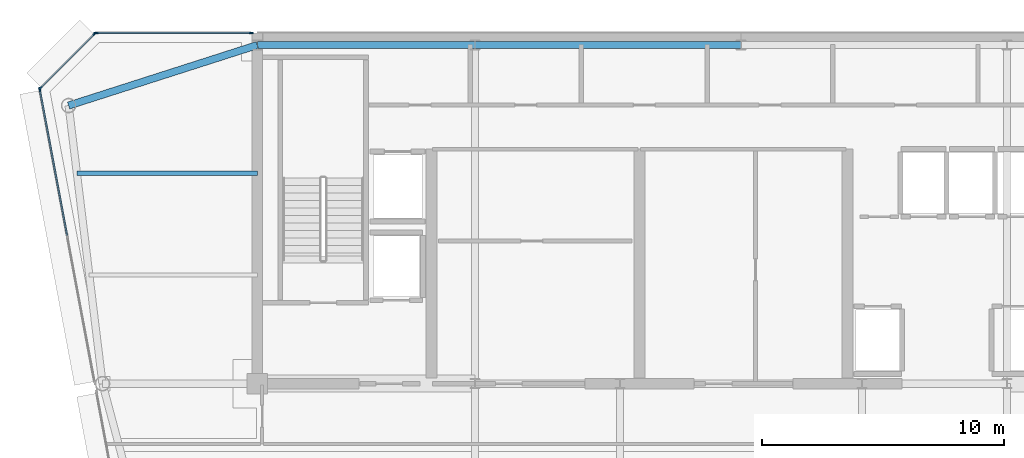
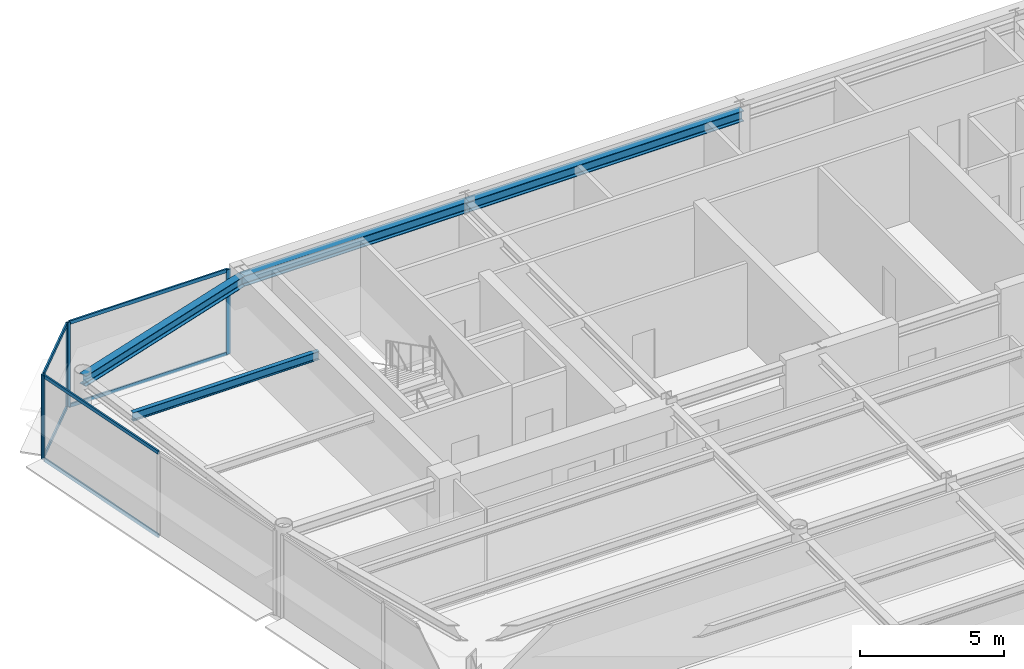
# One storey, part 8 of 20: 11 members, 4 beams, 3 elements without a shape of their own.
"""IFC4 building model written with IfcOpenShell, lengths in metres."""

import ifcopenshell
import ifcopenshell.guid

model = None  # the IFC model being written
_history = None  # IfcOwnerHistory: only IFC2X3 demands one
_inside = {}  # id of a spatial element -> (the spatial element, [elements in it])
_under = {}  # id of a project, library or spatial element -> (it, [spatial elements below it])
_declared = {}  # id of a project -> (the project, [libraries it declares])
_typed = {}  # id of a type object -> (the type object, [elements of that type])
_made_of = {}  # id of a material, layer set ... -> (it, [elements and type objects made of it])


def new_model(schema):
    """Start an empty IFC model of exactly this schema.

    Asked for "IFC4X3", IfcOpenShell would pick the latest addendum, in which some entities
    have other attributes; the version numbers below select the first issue.
    IFC2X3 requires an IfcOwnerHistory on every rooted entity: one is made here for all.
    """
    global model, _history
    if schema == "IFC4X3":
        model = ifcopenshell.file(schema_version=(4, 3, 0, 0))
    else:
        model = ifcopenshell.file(schema=schema)
    _inside.clear()
    _under.clear()
    _declared.clear()
    _typed.clear()
    _made_of.clear()
    _history = None
    if model.schema == "IFC2X3":
        org = make("IfcOrganization", Name="unknown")
        user = make(
            "IfcPersonAndOrganization",
            ThePerson=make("IfcPerson", FamilyName="unknown"),
            TheOrganization=org,
        )
        app = make(
            "IfcApplication",
            ApplicationDeveloper=org,
            Version="unknown",
            ApplicationFullName="unknown",
            ApplicationIdentifier="unknown",
        )
        _history = make(
            "IfcOwnerHistory",
            OwningUser=user,
            OwningApplication=app,
            ChangeAction="ADDED",
            CreationDate=0,
        )
    return model


def make(cls, **values):
    """One entity of the class cls with the attributes given. An attribute that is None is left unset."""
    return model.create_entity(
        cls, **{name: value for name, value in values.items() if value is not None}
    )


def rooted(cls, **values):
    """An entity with a GlobalId (a new one), such as an element, a storey or a relation."""
    return make(cls, GlobalId=ifcopenshell.guid.new(), OwnerHistory=_history, **values)


def si_unit(unit_type, name, prefix=None):
    """IfcSIUnit, for example si_unit("LENGTHUNIT", "METRE", prefix="MILLI")."""
    return make("IfcSIUnit", UnitType=unit_type, Prefix=prefix, Name=name)


def assignment(units):
    """IfcUnitAssignment: the units of a project."""
    return None if units is None else make("IfcUnitAssignment", Units=units)


def point(xyz):
    """IfcCartesianPoint."""
    return None if xyz is None else make("IfcCartesianPoint", Coordinates=xyz)


def direction(xyz):
    """IfcDirection."""
    return None if xyz is None else make("IfcDirection", DirectionRatios=xyz)


def frame(location, z_axis=None, x_axis=None):
    """IfcAxis2Placement3D, a coordinate frame: its origin and axes. An axis left out is left unset."""
    return make(
        "IfcAxis2Placement3D",
        Location=point(location),
        Axis=direction(z_axis),
        RefDirection=direction(x_axis),
    )


def frame_2d(location, x_axis=None):
    """IfcAxis2Placement2D, a coordinate frame in the plane: its origin and x axis."""
    return make(
        "IfcAxis2Placement2D", Location=point(location), RefDirection=direction(x_axis)
    )


def origin():
    """The frame at (0, 0, 0) with its axes left unset."""
    return frame((0.0, 0.0, 0.0))


def origin_2d():
    """The frame at (0, 0) in the plane with its x axis left unset."""
    return frame_2d((0.0, 0.0))


def place(relative_to, where):
    """IfcLocalPlacement: puts the frame where relative to a parent placement (None: the world)."""
    return make(
        "IfcLocalPlacement", PlacementRelTo=relative_to, RelativePlacement=where
    )


def context(
    kind, dimensions, precision=None, world=None, true_north=None, identifier=None
):
    """IfcGeometricRepresentationContext, for example the 3D "Model" context."""
    return make(
        "IfcGeometricRepresentationContext",
        ContextIdentifier=identifier,
        ContextType=kind,
        CoordinateSpaceDimension=dimensions,
        Precision=precision,
        WorldCoordinateSystem=world,
        TrueNorth=true_north,
    )


def subcontext(parent, identifier, kind, view, scale=None):
    """IfcGeometricRepresentationSubContext, for example "Body" below "Model"."""
    return make(
        "IfcGeometricRepresentationSubContext",
        ContextIdentifier=identifier,
        ContextType=kind,
        ParentContext=parent,
        TargetScale=scale,
        TargetView=view,
    )


def project(units=None, contexts=None):
    """IfcProject with its units and contexts."""
    return rooted(
        "IfcProject",
        Name="project",
        RepresentationContexts=contexts,
        UnitsInContext=assignment(units),
    )


def spatial(cls, under=None, at=None, **own):
    """A site, building, storey or space (cls), placed at a placement, below another one or the project."""
    s = rooted(cls, ObjectPlacement=at, **own)
    if under is not None:
        _under.setdefault(under.id(), (under, []))[1].append(s)
    return s


def profile(cls, at=None, kind="AREA", **sizes):
    """A parametric profile (cls). Its sizes go by their IFC names, for example OverallWidth=200.0."""
    return make(cls, ProfileType=kind, Position=at, **sizes)


def rectangle(**sizes):
    """IfcRectangleProfileDef."""
    return profile("IfcRectangleProfileDef", **sizes)


def i_section(**sizes):
    """IfcIShapeProfileDef."""
    return profile("IfcIShapeProfileDef", **sizes)


def extrude(swept, where, along, depth):
    """IfcExtrudedAreaSolid: the profile swept, set in the frame where, extruded along a direction by depth."""
    return make(
        "IfcExtrudedAreaSolid",
        SweptArea=swept,
        Position=where,
        ExtrudedDirection=direction(along),
        Depth=depth,
    )


def shape(context_of_items, identifier, shape_type, items):
    """IfcShapeRepresentation: the items that make up one representation, for example the "Body"."""
    return make(
        "IfcShapeRepresentation",
        ContextOfItems=context_of_items,
        RepresentationIdentifier=identifier,
        RepresentationType=shape_type,
        Items=items,
    )


def source(mapping_origin, context_of_items, identifier, shape_type, items):
    """IfcRepresentationMap: a shape defined once, which mapped items show again and again."""
    return make(
        "IfcRepresentationMap",
        MappingOrigin=mapping_origin,
        MappedRepresentation=shape(context_of_items, identifier, shape_type, items),
    )


def transform(
    local_origin,
    x_axis=None,
    y_axis=None,
    z_axis=None,
    scale=None,
    scale2=None,
    scale3=None,
    uniform=True,
):
    """IfcCartesianTransformationOperator3D, or its non-uniform kind. x_axis, y_axis, z_axis: its Axis1, 2, 3."""
    if uniform:
        return make(
            "IfcCartesianTransformationOperator3D",
            Axis1=direction(x_axis),
            Axis2=direction(y_axis),
            LocalOrigin=point(local_origin),
            Scale=scale,
            Axis3=direction(z_axis),
        )
    return make(
        "IfcCartesianTransformationOperator3DnonUniform",
        Axis1=direction(x_axis),
        Axis2=direction(y_axis),
        LocalOrigin=point(local_origin),
        Scale=scale,
        Axis3=direction(z_axis),
        Scale2=scale2,
        Scale3=scale3,
    )


def mapped(mapping_source, mapping_target):
    """IfcMappedItem: shows the shape of a source again, moved by a transform."""
    return make(
        "IfcMappedItem", MappingSource=mapping_source, MappingTarget=mapping_target
    )


def material(Name=None, Category=None):
    """IfcMaterial."""
    return make("IfcMaterial", Name=Name, Category=Category)


def layer(
    of_material, thickness, ventilated=None, Name=None, Category=None, Priority=None
):
    """IfcMaterialLayer: one layer of a wall or slab, of a material (None: an air gap)."""
    return make(
        "IfcMaterialLayer",
        Material=of_material,
        LayerThickness=thickness,
        IsVentilated=ventilated,
        Name=Name,
        Category=Category,
        Priority=Priority,
    )


def layer_set(layers, Name=None):
    """IfcMaterialLayerSet."""
    return make("IfcMaterialLayerSet", MaterialLayers=layers, LayerSetName=Name)


def material_profile(
    of_material, cross_section, Name=None, Category=None, Priority=None
):
    """IfcMaterialProfile: a cross section and its material."""
    return make(
        "IfcMaterialProfile",
        Name=Name,
        Material=of_material,
        Profile=cross_section,
        Priority=Priority,
        Category=Category,
    )


def profile_set(profiles, Name=None, composite=None):
    """IfcMaterialProfileSet."""
    return make(
        "IfcMaterialProfileSet",
        Name=Name,
        MaterialProfiles=profiles,
        CompositeProfile=composite,
    )


def made_of(thing, what):
    """Note that an element or type object is made of a material, layer set ...; save() writes the relation."""
    if what is not None:
        _made_of.setdefault(what.id(), (what, []))[1].append(thing)
    return thing


def type_object(cls, material=None, **own):
    """A type object (cls), such as IfcWallType, which elements share."""
    return made_of(rooted(cls, **own), material)


def element(
    cls,
    number,
    at=None,
    inside=None,
    cuts=None,
    type_object=None,
    material=None,
    context=None,
    identifier="Body",
    shape_type=None,
    held_by="IfcProductDefinitionShape",
    body=None,
    shapes=None,
    **own,
):
    """One element of the class cls, such as IfcWall. Its Tag is "e" and its number.

    at: its placement. inside: the storey or other place that contains it. cuts: it is an
    opening in that element (IfcRelVoidsElement). A single representation is given by context,
    identifier, shape_type and body (its items); several are given by shapes. held_by: the class
    of the entity that holds the representations. save() writes the other relations.
    """
    e = rooted(cls, Tag="e%d" % number, ObjectPlacement=at, **own)
    if body is not None:
        shapes = [shape(context, identifier, shape_type, body)]
    if shapes is not None:
        e.Representation = make(held_by, Representations=shapes)
    if inside is not None:
        _inside.setdefault(inside.id(), (inside, []))[1].append(e)
    if cuts is not None:
        rooted(
            "IfcRelVoidsElement", RelatingBuildingElement=cuts, RelatedOpeningElement=e
        )
    if type_object is not None:
        _typed.setdefault(type_object.id(), (type_object, []))[1].append(e)
    return made_of(e, material)


def aggregate(whole, parts):
    """IfcRelAggregates: a whole, such as a stair, and the parts it consists of."""
    return rooted("IfcRelAggregates", RelatingObject=whole, RelatedObjects=parts)


def save(model, path):
    """Write the relations noted so far, then the file.

    IfcRelAggregates (storeys below a building ...), IfcRelContainedInSpatialStructure (elements
    in a storey), IfcRelDefinesByType, IfcRelAssociatesMaterial and IfcRelDeclares: one each for
    every whole, place, type object, material and project.
    """
    for whole, parts in _under.values():
        aggregate(whole, parts)
    for where, things in _inside.values():
        rooted(
            "IfcRelContainedInSpatialStructure",
            RelatedElements=things,
            RelatingStructure=where,
        )
    for kind, things in _typed.values():
        rooted("IfcRelDefinesByType", RelatedObjects=things, RelatingType=kind)
    for what, things in _made_of.values():
        rooted("IfcRelAssociatesMaterial", RelatedObjects=things, RelatingMaterial=what)
    for by, libraries in _declared.values():
        rooted("IfcRelDeclares", RelatingContext=by, RelatedDefinitions=libraries)
    model.write(path)


model = new_model("IFC4")

# Units and contexts
model_context = context("Model", 3, precision=1e-05, world=origin(), true_north=direction((0.0, 1.0)))
body_context = subcontext(model_context, "Body", "Model", "MODEL_VIEW")
ifc_project = project(units=[si_unit("LENGTHUNIT", "METRE"), si_unit("AREAUNIT", "SQUARE_METRE"), si_unit("VOLUMEUNIT", "CUBIC_METRE"), si_unit("PLANEANGLEUNIT", "RADIAN"), si_unit("MASSUNIT", "GRAM", prefix="KILO")], contexts=[model_context])

# Site, building, storey
site_placement = place(None, origin())
site = spatial("IfcSite", under=ifc_project, at=site_placement, CompositionType="ELEMENT")
building_placement = place(site_placement, origin())
building = spatial("IfcBuilding", under=site, at=building_placement, Name="Vaeldorn Concourse Tower", CompositionType="ELEMENT")
storey_placement = place(building_placement, frame((0.0, 0.0, 280.199951171875)))
storey = spatial("IfcBuildingStorey", under=building, at=storey_placement, Name="L72", CompositionType="ELEMENT", Elevation=280.199951171875)

# Beams
ifc_material_1 = material(Name="Steel S355", Category="steel")
ifc_material_profile_1 = material_profile(ifc_material_1, i_section(OverallWidth=0.300048828125, OverallDepth=0.449951171875, WebThickness=0.013916015625, FlangeThickness=0.02587890625, FilletRadius=0.027099609375, at=origin_2d()), Name="HEB 450")
ifc_profile_set_1 = profile_set([ifc_material_profile_1], Name="Steel S355")
beam_type_1 = type_object("IfcBeamType", Name="BM-PG-HEB450", PredefinedType="BEAM", material=ifc_profile_set_1)
shared_shape_1 = source(origin(), body_context, "Body", "SweptSolid", [
    extrude(i_section(OverallWidth=0.300048828125, OverallDepth=0.449951171875, WebThickness=0.013916015625, FlangeThickness=0.02587890625, FilletRadius=0.027099609375, at=origin_2d()), origin(), (0.0, 0.0, 1.0), 11.0),
])
beam_1_placement = place(storey_placement, frame((23.0, 50.5, 3.35498046875), z_axis=(1.0, 0.0, 0.0), x_axis=(0.0, 1.0, 0.0)))
element("IfcBeam", 1, at=beam_1_placement, inside=storey, type_object=beam_type_1, Name="Beam BM-L72-C-HC2-C-HC3", PredefinedType="BEAM", context=body_context, shape_type="MappedRepresentation", body=[
    mapped(shared_shape_1, transform((0.0, 0.0, 0.0), scale=1.0)),
])
ifc_material_profile_2 = material_profile(ifc_material_1, i_section(OverallWidth=0.169921875, OverallDepth=0.360107421875, WebThickness=0.008056640625, FlangeThickness=0.0126953125, FilletRadius=0.01806640625, at=origin_2d()), Name="IPE 360")
ifc_profile_set_2 = profile_set([ifc_material_profile_2], Name="Steel S355")
beam_type_2 = type_object("IfcBeamType", Name="BM-JS-IPE360", PredefinedType="JOIST", material=ifc_profile_set_2)
shared_shape_2 = source(origin(), body_context, "Body", "SweptSolid", [
    extrude(i_section(OverallWidth=0.169921875, OverallDepth=0.360107421875, WebThickness=0.008056640625, FlangeThickness=0.0126953125, FilletRadius=0.01806640625, at=origin_2d()), origin(), (0.0, 0.0, 1.0), 7.458984375),
])
beam_2_placement = place(storey_placement, frame((6.541015625, 45.199951171875, 3.400146484375), z_axis=(1.0, 0.0, 0.0), x_axis=(0.0, 1.0, 0.0)))
element("IfcBeam", 2, at=beam_2_placement, inside=storey, type_object=beam_type_2, Name="Beam JS-L72-NW-452", PredefinedType="JOIST", context=body_context, shape_type="MappedRepresentation", body=[
    mapped(shared_shape_2, transform((0.0, 0.0, 0.0), scale=1.0)),
])
shared_shape_3 = source(origin(), body_context, "Body", "SweptSolid", [
    extrude(i_section(OverallWidth=0.300048828125, OverallDepth=0.449951171875, WebThickness=0.013916015625, FlangeThickness=0.02587890625, FilletRadius=0.027099609375, at=origin_2d()), origin(), (0.0, 0.0, 1.0), 9.0),
])
beam_3_placement = place(storey_placement, frame((14.0, 50.5, 3.35498046875), z_axis=(1.0, 0.0, 0.0), x_axis=(0.0, 1.0, 0.0)))
element("IfcBeam", 3, at=beam_3_placement, inside=storey, type_object=beam_type_1, Name="Beam BM-L72-C-HC1-C-HC2", PredefinedType="BEAM", context=body_context, shape_type="MappedRepresentation", body=[
    mapped(shared_shape_3, transform((0.0, 0.0, 0.0), scale=1.0)),
])
shared_shape_4 = source(origin(), body_context, "Body", "SweptSolid", [
    extrude(i_section(OverallWidth=0.300048828125, OverallDepth=0.449951171875, WebThickness=0.013916015625, FlangeThickness=0.02587890625, FilletRadius=0.027099609375, at=origin_2d()), origin(), (0.0, 0.0, 1.0), 8.19091796875),
])
beam_4_placement = place(storey_placement, frame((6.199951171875, 48.0, 3.35498046875), z_axis=(0.952282843383, 0.305216949396, 0.0), x_axis=(-0.305216949396, 0.952282843383, 0.0)))
element("IfcBeam", 4, at=beam_4_placement, inside=storey, type_object=beam_type_1, Name="Beam BM-L72-C-NW1-C-HC1", PredefinedType="BEAM", context=body_context, shape_type="MappedRepresentation", body=[
    mapped(shared_shape_4, transform((0.0, 0.0, 0.0), scale=1.0)),
])

# Curtain wall, members
ifc_material_2 = material(Name="Anodised Bronze Aluminium", Category="aluminium")
ifc_layer = layer(ifc_material_2, 0.179931640625)
ifc_layer_set = layer_set([ifc_layer], Name="Anodised Bronze Aluminium")
curtain_wall_type = type_object("IfcCurtainWallType", Name="CW-SYS-05", PredefinedType="NOTDEFINED", material=ifc_layer_set)
curtain_wall_1_placement = place(storey_placement, origin())
curtain_wall_1 = element("IfcCurtainWall", 5, at=curtain_wall_1_placement, inside=storey, type_object=curtain_wall_type, Name="Unitised Curtain Wall CW-L72-E10-1", PredefinedType="NOTDEFINED")
ifc_material_profile_3 = material_profile(ifc_material_2, rectangle(XDim=0.06494140625, YDim=0.14990234375, at=origin_2d()), Name="CWT 65x150")
ifc_profile_set_3 = profile_set([ifc_material_profile_3], Name="Anodised Bronze Aluminium")
member_type_1 = type_object("IfcMemberType", Name="CWT-BRONZE-150", PredefinedType="USERDEFINED", material=ifc_profile_set_3)
shared_shape_5 = source(origin(), body_context, "Body", "SweptSolid", [
    extrude(rectangle(XDim=0.06494140625, YDim=0.14990234375, at=origin_2d()), origin(), (0.0, 0.0, 1.0), 3.123046875),
])
member_1_placement = place(storey_placement, frame((7.254150390625, 50.9541015625, 0.032470703125), z_axis=(-0.707106781187, -0.707106781187, 0.0), x_axis=(0.707106781187, -0.707106781187, 0.0)))
member_1 = element("IfcMember", 6, at=member_1_placement, type_object=member_type_1, Name="CW-05 transom 1.1", ObjectType="TRANSOM", PredefinedType="USERDEFINED", context=body_context, shape_type="MappedRepresentation", body=[
    mapped(shared_shape_5, transform((0.0, 0.0, 0.0), scale=1.0)),
])
member_2_placement = place(storey_placement, frame((7.254150390625, 50.9541015625, 3.547607421875), z_axis=(-0.707106781187, -0.707106781187, 0.0), x_axis=(0.707106781187, -0.707106781187, 0.0)))
member_2 = element("IfcMember", 7, at=member_2_placement, type_object=member_type_1, Name="CW-05 transom 1.2", ObjectType="TRANSOM", PredefinedType="USERDEFINED", context=body_context, shape_type="MappedRepresentation", body=[
    mapped(shared_shape_5, transform((0.0, 0.0, 0.0), scale=1.0)),
])

curtain_wall_2_placement = place(storey_placement, origin())
curtain_wall_2 = element("IfcCurtainWall", 8, at=curtain_wall_2_placement, inside=storey, type_object=curtain_wall_type, Name="Unitised Curtain Wall CW-L72-E09-2", PredefinedType="NOTDEFINED")
ifc_material_profile_4 = material_profile(ifc_material_2, rectangle(XDim=0.06494140625, YDim=0.169921875, at=origin_2d()), Name="CWM 65x170")
ifc_profile_set_4 = profile_set([ifc_material_profile_4], Name="Anodised Bronze Aluminium")
member_type_2 = type_object("IfcMemberType", Name="CWM-BRONZE-170", PredefinedType="MULLION", material=ifc_profile_set_4)
shared_shape_6 = source(origin(), body_context, "Body", "SweptSolid", [
    extrude(rectangle(XDim=0.06494140625, YDim=0.169921875, at=origin_2d()), origin(), (0.0, 0.0, 1.0), 3.580078125),
])
member_3_placement = place(storey_placement, frame((13.74755859375, 51.0, 0.0), z_axis=(0.0, 0.0, 1.0), x_axis=(0.0, -1.0, 0.0)))
member_3 = element("IfcMember", 9, at=member_3_placement, type_object=member_type_2, Name="CW-05 mullion 1", PredefinedType="MULLION", context=body_context, shape_type="MappedRepresentation", body=[
    mapped(shared_shape_6, transform((0.0, 0.0, 0.0), scale=1.0)),
])
member_4_placement = place(storey_placement, frame((7.33251953125, 51.0, 0.0), z_axis=(0.0, 0.0, 1.0), x_axis=(0.0, -1.0, 0.0)))
member_4 = element("IfcMember", 10, at=member_4_placement, type_object=member_type_2, Name="CW-05 mullion 2", PredefinedType="MULLION", context=body_context, shape_type="MappedRepresentation", body=[
    mapped(shared_shape_6, transform((0.0, 0.0, 0.0), scale=1.0)),
])

# Member
member_5_placement = place(storey_placement, frame((7.277099609375, 50.97705078125, 0.0), z_axis=(0.0, 0.0, 1.0), x_axis=(0.707106781187, -0.707106781187, 0.0)))
member_5 = element("IfcMember", 11, at=member_5_placement, type_object=member_type_2, Name="CW-05 mullion 1", PredefinedType="MULLION", context=body_context, shape_type="MappedRepresentation", body=[
    mapped(shared_shape_6, transform((0.0, 0.0, 0.0), scale=1.0)),
])

member_6_placement = place(storey_placement, frame((5.02294921875, 48.722900390625, 0.0), z_axis=(0.0, 0.0, 1.0), x_axis=(0.707106781187, -0.707106781187, 0.0)))
member_6 = element("IfcMember", 12, at=member_6_placement, type_object=member_type_2, Name="CW-05 mullion 2", PredefinedType="MULLION", context=body_context, shape_type="MappedRepresentation", body=[
    mapped(shared_shape_6, transform((0.0, 0.0, 0.0), scale=1.0)),
])

aggregate(curtain_wall_1, [member_5, member_6, member_1, member_2])

# Curtain wall, member
curtain_wall_3_placement = place(storey_placement, origin())
curtain_wall_3 = element("IfcCurtainWall", 13, at=curtain_wall_3_placement, inside=storey, type_object=curtain_wall_type, Name="Unitised Curtain Wall CW-L72-E11-1", PredefinedType="NOTDEFINED")
member_7_placement = place(storey_placement, frame((5.006103515625, 48.66796875, 0.0), z_axis=(0.0, 0.0, 1.0), x_axis=(0.982880218842, 0.184245693053, 0.0)))
member_7 = element("IfcMember", 14, at=member_7_placement, type_object=member_type_2, Name="CW-05 mullion 1", PredefinedType="MULLION", context=body_context, shape_type="MappedRepresentation", body=[
    mapped(shared_shape_6, transform((0.0, 0.0, 0.0), scale=1.0)),
])

# Member
shared_shape_7 = source(origin(), body_context, "Body", "SweptSolid", [
    extrude(rectangle(XDim=0.06494140625, YDim=0.14990234375, at=origin_2d()), origin(), (0.0, 0.0, 1.0), 6.35009765625),
])
member_8_placement = place(storey_placement, frame((13.715087890625, 51.0, 0.032470703125), z_axis=(-1.0, 0.0, 0.0), x_axis=(0.0, -1.0, 0.0)))
member_8 = element("IfcMember", 15, at=member_8_placement, type_object=member_type_1, Name="CW-05 transom 1.1", ObjectType="TRANSOM", PredefinedType="USERDEFINED", context=body_context, shape_type="MappedRepresentation", body=[
    mapped(shared_shape_7, transform((0.0, 0.0, 0.0), scale=1.0)),
])

member_9_placement = place(storey_placement, frame((13.715087890625, 51.0, 3.547607421875), z_axis=(-1.0, 0.0, 0.0), x_axis=(0.0, -1.0, 0.0)))
member_9 = element("IfcMember", 16, at=member_9_placement, type_object=member_type_1, Name="CW-05 transom 1.2", ObjectType="TRANSOM", PredefinedType="USERDEFINED", context=body_context, shape_type="MappedRepresentation", body=[
    mapped(shared_shape_7, transform((0.0, 0.0, 0.0), scale=1.0)),
])

aggregate(curtain_wall_2, [member_3, member_4, member_8, member_9])

shared_shape_8 = source(origin(), body_context, "Body", "SweptSolid", [
    extrude(rectangle(XDim=0.06494140625, YDim=0.14990234375, at=origin_2d()), origin(), (0.0, 0.0, 1.0), 6.103515625),
])
member_10_placement = place(storey_placement, frame((5.011962890625, 48.63623046875, 0.032470703125), z_axis=(0.18424023288, -0.982881242363, 0.0), x_axis=(0.982881242363, 0.18424023288, 0.0)))
member_10 = element("IfcMember", 17, at=member_10_placement, type_object=member_type_1, Name="CW-05 transom 1.1", ObjectType="TRANSOM", PredefinedType="USERDEFINED", context=body_context, shape_type="MappedRepresentation", body=[
    mapped(shared_shape_8, transform((0.0, 0.0, 0.0), scale=1.0)),
])

member_11_placement = place(storey_placement, frame((5.011962890625, 48.63623046875, 3.547607421875), z_axis=(0.18424023288, -0.982881242363, 0.0), x_axis=(0.982881242363, 0.18424023288, 0.0)))
member_11 = element("IfcMember", 18, at=member_11_placement, type_object=member_type_1, Name="CW-05 transom 1.2", ObjectType="TRANSOM", PredefinedType="USERDEFINED", context=body_context, shape_type="MappedRepresentation", body=[
    mapped(shared_shape_8, transform((0.0, 0.0, 0.0), scale=1.0)),
])

aggregate(curtain_wall_3, [member_7, member_10, member_11])

save(model, "model.ifc")
